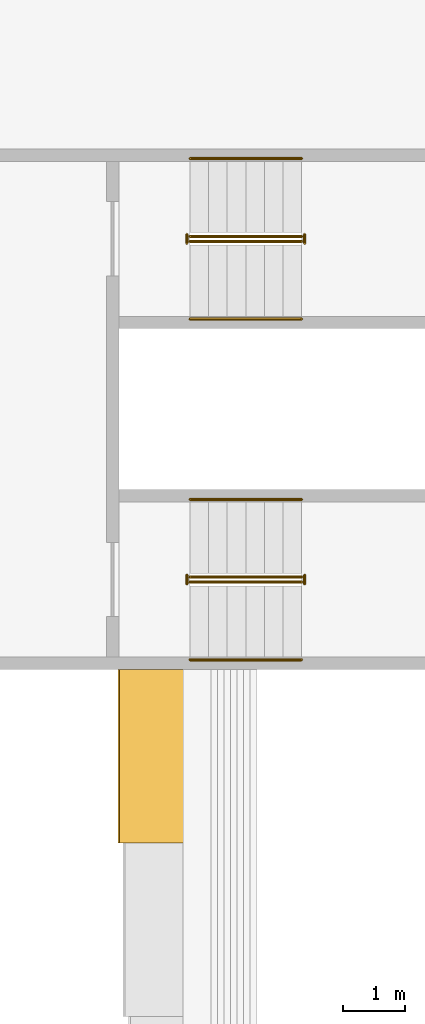
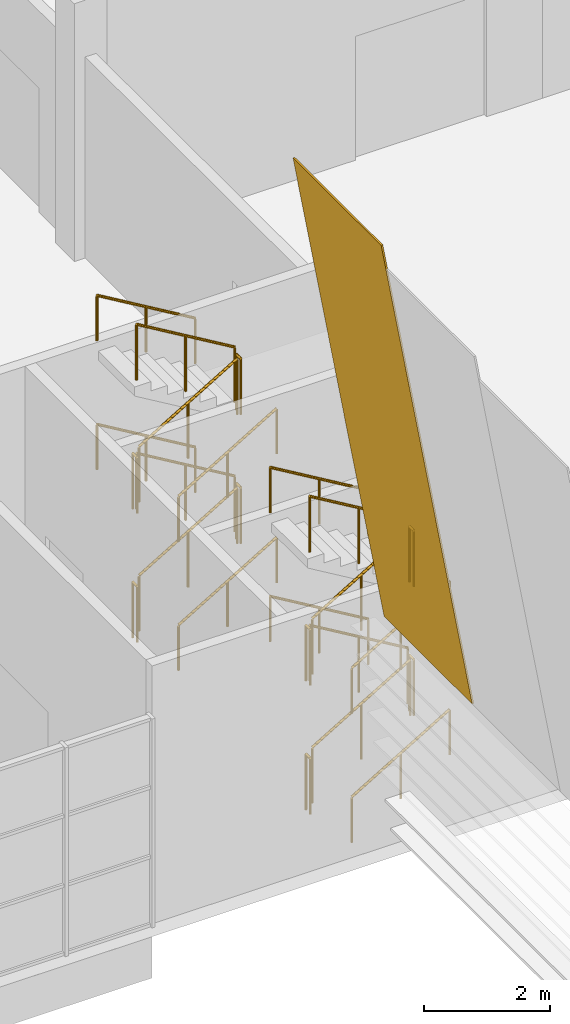
# One storey, part 54 of 59: 24 railings, 1 covering.
"""IFC4 building model written with IfcOpenShell, lengths in metres."""

from ifc_helpers import new_model, si_unit, direction, frame, origin, origin_2d, place, context, subcontext, project, spatial, polyline, circle, outline, extrude, material, layer, layer_set, type_object, element, save


model = new_model("IFC4")

# Units and contexts
model_context = context("Model", 3, precision=1e-05, world=origin(), true_north=direction((0.0, 1.0)))
body_context = subcontext(model_context, "Body", "Model", "MODEL_VIEW")
ifc_project = project(units=[si_unit("LENGTHUNIT", "METRE"), si_unit("AREAUNIT", "SQUARE_METRE"), si_unit("VOLUMEUNIT", "CUBIC_METRE"), si_unit("PLANEANGLEUNIT", "RADIAN"), si_unit("MASSUNIT", "GRAM", prefix="KILO")], contexts=[model_context])

# Site, building, storey
site_placement = place(None, origin())
site = spatial("IfcSite", under=ifc_project, at=site_placement, CompositionType="ELEMENT")
building_placement = place(site_placement, origin())
building = spatial("IfcBuilding", under=site, at=building_placement, Name="Almond Square Museum", CompositionType="ELEMENT")
storey_placement = place(building_placement, frame((0.0, 0.0, 25.0)))
storey = spatial("IfcBuildingStorey", under=building, at=storey_placement, Name="L04", CompositionType="ELEMENT", Elevation=25.0)

# Covering
ifc_material_1 = material(Name="Cedar timber sheathing panel", Category="wood")
ifc_layer = layer(ifc_material_1, 0.030029296875)
ifc_layer_set = layer_set([ifc_layer], Name="Cedar timber sheathing panel")
covering_type = type_object("IfcCoveringType", Name="Louvre rain-screen backing panel 30", PredefinedType="CLADDING", material=ifc_layer_set)
covering_placement = place(storey_placement, frame((102.672119140625, 64.39990234375, 4.469970703125), z_axis=(0.984806019505, 0.0, 0.17365800859), x_axis=(0.0, 1.0, 0.0)))
element("IfcCovering", 1, at=covering_placement, inside=storey, type_object=covering_type, Name="Louvre rain-screen backing panel W06.07", PredefinedType="CLADDING", context=body_context, shape_type="SweptSolid", body=[
    extrude(outline(polyline([(0.0, 0.0), (2.800048828125, 0.0), (2.800048828125, 9.62599348539088), (0.0, 9.62599348539088), (0.0, 0.0)])), frame((0.0, 0.0, -0.01513671875)), (0.0, 0.0, 1.0), 0.030029296875),
])

# Railings
ifc_material_2 = material(Name="Stainless steel and laminated glass", Category="steel")
railing_type_1 = type_object("IfcRailingType", Name="Stair guard 1100 steel and glass", PredefinedType="GUARDRAIL", material=ifc_material_2)
railing_1_placement = place(storey_placement, frame((102.14990234375, 68.610107421875, 0.178466796875)))
element("IfcRailing", 2, at=railing_1_placement, inside=storey, type_object=railing_type_1, Name="L04 ST-11 stair guard 1", PredefinedType="GUARDRAIL", context=body_context, shape_type="SweptSolid", body=[
    extrude(circle(Radius=0.02392578125, at=origin_2d()), frame((0.0, 0.0, 1.076171875), z_axis=(0.859277029364, 0.0, 0.511510495305), x_axis=(0.0, 1.0, 0.0)), (0.0, 0.0, 1.0), 2.0947265625),
    extrude(circle(Radius=0.02099609375, at=origin_2d()), origin(), (0.0, 0.0, 1.0), 1.052001953125),
    extrude(circle(Radius=0.02099609375, at=origin_2d()), frame((0.89990234375, 0.0, 0.53564453125)), (0.0, 0.0, 1.0), 1.052001953125),
    extrude(circle(Radius=0.02099609375, at=origin_2d()), frame((1.800048828125, 0.0, 1.071533203125)), (0.0, 0.0, 1.0), 1.052001953125),
])
railing_2_placement = place(storey_placement, frame((104.0, 68.580078125, 1.25)))
element("IfcRailing", 3, at=railing_2_placement, inside=storey, type_object=railing_type_1, Name="L04 ST-11 stair guard 2", PredefinedType="GUARDRAIL", context=body_context, shape_type="SweptSolid", body=[
    extrude(circle(Radius=0.02392578125, at=origin_2d()), frame((0.0, 0.0, 1.076171875), z_axis=(0.0, 1.0, 0.0), x_axis=(-1.0, 0.0, 0.0)), (0.0, 0.0, 1.0), 0.139892578125),
    extrude(circle(Radius=0.02099609375, at=origin_2d()), origin(), (0.0, 0.0, 1.0), 1.052001953125),
    extrude(circle(Radius=0.02099609375, at=origin_2d()), frame((0.0, 0.139892578125, 0.0)), (0.0, 0.0, 1.0), 1.052001953125),
])
railing_3_placement = place(storey_placement, frame((103.949951171875, 68.68994140625, 1.428466796875)))
element("IfcRailing", 4, at=railing_3_placement, inside=storey, type_object=railing_type_1, Name="L04 ST-11 stair guard 3", PredefinedType="GUARDRAIL", context=body_context, shape_type="SweptSolid", body=[
    extrude(circle(Radius=0.02392578125, at=origin_2d()), frame((0.0, 0.0, 1.076171875), z_axis=(-0.859277029364, 0.0, 0.511510495305), x_axis=(0.0, -1.0, 0.0)), (0.0, 0.0, 1.0), 2.0947265625),
    extrude(circle(Radius=0.02099609375, at=origin_2d()), origin(), (0.0, 0.0, 1.0), 1.052001953125),
    extrude(circle(Radius=0.02099609375, at=origin_2d()), frame((-0.89990234375, 0.0, 0.53564453125)), (0.0, 0.0, 1.0), 1.052001953125),
    extrude(circle(Radius=0.02099609375, at=origin_2d()), frame((-1.800048828125, 0.0, 1.071533203125)), (0.0, 0.0, 1.0), 1.052001953125),
])
railing_4_placement = place(storey_placement, frame((102.10009765625, 68.580078125, 2.5)))
element("IfcRailing", 5, at=railing_4_placement, inside=storey, type_object=railing_type_1, Name="L04 ST-11 stair guard 4", PredefinedType="GUARDRAIL", context=body_context, shape_type="SweptSolid", body=[
    extrude(circle(Radius=0.02392578125, at=origin_2d()), frame((0.0, 0.0, 1.076171875), z_axis=(0.0, 1.0, 0.0), x_axis=(-1.0, 0.0, 0.0)), (0.0, 0.0, 1.0), 0.139892578125),
    extrude(circle(Radius=0.02099609375, at=origin_2d()), origin(), (0.0, 0.0, 1.0), 1.052001953125),
    extrude(circle(Radius=0.02099609375, at=origin_2d()), frame((0.0, 0.139892578125, 0.0)), (0.0, 0.0, 1.0), 1.052001953125),
])
railing_5_placement = place(storey_placement, frame((102.14990234375, 68.610107421875, 2.678466796875)))
element("IfcRailing", 6, at=railing_5_placement, inside=storey, type_object=railing_type_1, Name="L04 ST-11 stair guard 5", PredefinedType="GUARDRAIL", context=body_context, shape_type="SweptSolid", body=[
    extrude(circle(Radius=0.02392578125, at=origin_2d()), frame((0.0, 0.0, 1.076171875), z_axis=(0.859277029364, 0.0, 0.511510495305), x_axis=(0.0, 1.0, 0.0)), (0.0, 0.0, 1.0), 2.0947265625),
    extrude(circle(Radius=0.02099609375, at=origin_2d()), origin(), (0.0, 0.0, 1.0), 1.052001953125),
    extrude(circle(Radius=0.02099609375, at=origin_2d()), frame((0.89990234375, 0.0, 0.53564453125)), (0.0, 0.0, 1.0), 1.052001953125),
    extrude(circle(Radius=0.02099609375, at=origin_2d()), frame((1.800048828125, 0.0, 1.071533203125)), (0.0, 0.0, 1.0), 1.052001953125),
])
railing_6_placement = place(storey_placement, frame((104.0, 68.580078125, 3.75)))
element("IfcRailing", 7, at=railing_6_placement, inside=storey, type_object=railing_type_1, Name="L04 ST-11 stair guard 6", PredefinedType="GUARDRAIL", context=body_context, shape_type="SweptSolid", body=[
    extrude(circle(Radius=0.02392578125, at=origin_2d()), frame((0.0, 0.0, 1.076171875), z_axis=(0.0, 1.0, 0.0), x_axis=(-1.0, 0.0, 0.0)), (0.0, 0.0, 1.0), 0.139892578125),
    extrude(circle(Radius=0.02099609375, at=origin_2d()), origin(), (0.0, 0.0, 1.0), 1.052001953125),
    extrude(circle(Radius=0.02099609375, at=origin_2d()), frame((0.0, 0.139892578125, 0.0)), (0.0, 0.0, 1.0), 1.052001953125),
])
railing_7_placement = place(storey_placement, frame((103.949951171875, 68.68994140625, 3.928466796875)))
element("IfcRailing", 8, at=railing_7_placement, inside=storey, type_object=railing_type_1, Name="L04 ST-11 stair guard 7", PredefinedType="GUARDRAIL", context=body_context, shape_type="SweptSolid", body=[
    extrude(circle(Radius=0.02392578125, at=origin_2d()), frame((0.0, 0.0, 1.076171875), z_axis=(-0.859277029364, 0.0, 0.511510495305), x_axis=(0.0, -1.0, 0.0)), (0.0, 0.0, 1.0), 2.0947265625),
    extrude(circle(Radius=0.02099609375, at=origin_2d()), origin(), (0.0, 0.0, 1.0), 1.052001953125),
    extrude(circle(Radius=0.02099609375, at=origin_2d()), frame((-0.89990234375, 0.0, 0.53564453125)), (0.0, 0.0, 1.0), 1.052001953125),
    extrude(circle(Radius=0.02099609375, at=origin_2d()), frame((-1.800048828125, 0.0, 1.071533203125)), (0.0, 0.0, 1.0), 1.052001953125),
])
railing_8_placement = place(storey_placement, frame((102.10009765625, 68.580078125, 0.0)))
element("IfcRailing", 9, at=railing_8_placement, inside=storey, type_object=railing_type_1, Name="L04 ST-11 stair guard 8", PredefinedType="GUARDRAIL", context=body_context, shape_type="SweptSolid", body=[
    extrude(circle(Radius=0.02392578125, at=origin_2d()), frame((0.0, 0.0, 1.076171875), z_axis=(0.0, 1.0, 0.0), x_axis=(-1.0, 0.0, 0.0)), (0.0, 0.0, 1.0), 0.139892578125),
    extrude(circle(Radius=0.02099609375, at=origin_2d()), origin(), (0.0, 0.0, 1.0), 1.052001953125),
    extrude(circle(Radius=0.02099609375, at=origin_2d()), frame((0.0, 0.139892578125, 0.0)), (0.0, 0.0, 1.0), 1.052001953125),
])
railing_9_placement = place(storey_placement, frame((102.14990234375, 74.110107421875, 0.178466796875)))
element("IfcRailing", 10, at=railing_9_placement, inside=storey, type_object=railing_type_1, Name="L04 ST-12 stair guard 1", PredefinedType="GUARDRAIL", context=body_context, shape_type="SweptSolid", body=[
    extrude(circle(Radius=0.02392578125, at=origin_2d()), frame((0.0, 0.0, 1.076171875), z_axis=(0.859277029364, 0.0, 0.511510495305), x_axis=(0.0, 1.0, 0.0)), (0.0, 0.0, 1.0), 2.0947265625),
    extrude(circle(Radius=0.02099609375, at=origin_2d()), origin(), (0.0, 0.0, 1.0), 1.052001953125),
    extrude(circle(Radius=0.02099609375, at=origin_2d()), frame((0.89990234375, 0.0, 0.53564453125)), (0.0, 0.0, 1.0), 1.052001953125),
    extrude(circle(Radius=0.02099609375, at=origin_2d()), frame((1.800048828125, 0.0, 1.071533203125)), (0.0, 0.0, 1.0), 1.052001953125),
])
railing_10_placement = place(storey_placement, frame((104.0, 74.080078125, 1.25)))
element("IfcRailing", 11, at=railing_10_placement, inside=storey, type_object=railing_type_1, Name="L04 ST-12 stair guard 2", PredefinedType="GUARDRAIL", context=body_context, shape_type="SweptSolid", body=[
    extrude(circle(Radius=0.02392578125, at=origin_2d()), frame((0.0, 0.0, 1.076171875), z_axis=(0.0, 1.0, 0.0), x_axis=(-1.0, 0.0, 0.0)), (0.0, 0.0, 1.0), 0.139892578125),
    extrude(circle(Radius=0.02099609375, at=origin_2d()), origin(), (0.0, 0.0, 1.0), 1.052001953125),
    extrude(circle(Radius=0.02099609375, at=origin_2d()), frame((0.0, 0.139892578125, 0.0)), (0.0, 0.0, 1.0), 1.052001953125),
])
railing_11_placement = place(storey_placement, frame((103.949951171875, 74.18994140625, 1.428466796875)))
element("IfcRailing", 12, at=railing_11_placement, inside=storey, type_object=railing_type_1, Name="L04 ST-12 stair guard 3", PredefinedType="GUARDRAIL", context=body_context, shape_type="SweptSolid", body=[
    extrude(circle(Radius=0.02392578125, at=origin_2d()), frame((0.0, 0.0, 1.076171875), z_axis=(-0.859277029364, 0.0, 0.511510495305), x_axis=(0.0, -1.0, 0.0)), (0.0, 0.0, 1.0), 2.0947265625),
    extrude(circle(Radius=0.02099609375, at=origin_2d()), origin(), (0.0, 0.0, 1.0), 1.052001953125),
    extrude(circle(Radius=0.02099609375, at=origin_2d()), frame((-0.89990234375, 0.0, 0.53564453125)), (0.0, 0.0, 1.0), 1.052001953125),
    extrude(circle(Radius=0.02099609375, at=origin_2d()), frame((-1.800048828125, 0.0, 1.071533203125)), (0.0, 0.0, 1.0), 1.052001953125),
])
railing_12_placement = place(storey_placement, frame((102.10009765625, 74.080078125, 2.5)))
element("IfcRailing", 13, at=railing_12_placement, inside=storey, type_object=railing_type_1, Name="L04 ST-12 stair guard 4", PredefinedType="GUARDRAIL", context=body_context, shape_type="SweptSolid", body=[
    extrude(circle(Radius=0.02392578125, at=origin_2d()), frame((0.0, 0.0, 1.076171875), z_axis=(0.0, 1.0, 0.0), x_axis=(-1.0, 0.0, 0.0)), (0.0, 0.0, 1.0), 0.139892578125),
    extrude(circle(Radius=0.02099609375, at=origin_2d()), origin(), (0.0, 0.0, 1.0), 1.052001953125),
    extrude(circle(Radius=0.02099609375, at=origin_2d()), frame((0.0, 0.139892578125, 0.0)), (0.0, 0.0, 1.0), 1.052001953125),
])
railing_13_placement = place(storey_placement, frame((102.14990234375, 74.110107421875, 2.678466796875)))
element("IfcRailing", 14, at=railing_13_placement, inside=storey, type_object=railing_type_1, Name="L04 ST-12 stair guard 5", PredefinedType="GUARDRAIL", context=body_context, shape_type="SweptSolid", body=[
    extrude(circle(Radius=0.02392578125, at=origin_2d()), frame((0.0, 0.0, 1.076171875), z_axis=(0.859277029364, 0.0, 0.511510495305), x_axis=(0.0, 1.0, 0.0)), (0.0, 0.0, 1.0), 2.0947265625),
    extrude(circle(Radius=0.02099609375, at=origin_2d()), origin(), (0.0, 0.0, 1.0), 1.052001953125),
    extrude(circle(Radius=0.02099609375, at=origin_2d()), frame((0.89990234375, 0.0, 0.53564453125)), (0.0, 0.0, 1.0), 1.052001953125),
    extrude(circle(Radius=0.02099609375, at=origin_2d()), frame((1.800048828125, 0.0, 1.071533203125)), (0.0, 0.0, 1.0), 1.052001953125),
])
railing_14_placement = place(storey_placement, frame((104.0, 74.080078125, 3.75)))
element("IfcRailing", 15, at=railing_14_placement, inside=storey, type_object=railing_type_1, Name="L04 ST-12 stair guard 6", PredefinedType="GUARDRAIL", context=body_context, shape_type="SweptSolid", body=[
    extrude(circle(Radius=0.02392578125, at=origin_2d()), frame((0.0, 0.0, 1.076171875), z_axis=(0.0, 1.0, 0.0), x_axis=(-1.0, 0.0, 0.0)), (0.0, 0.0, 1.0), 0.139892578125),
    extrude(circle(Radius=0.02099609375, at=origin_2d()), origin(), (0.0, 0.0, 1.0), 1.052001953125),
    extrude(circle(Radius=0.02099609375, at=origin_2d()), frame((0.0, 0.139892578125, 0.0)), (0.0, 0.0, 1.0), 1.052001953125),
])
railing_15_placement = place(storey_placement, frame((103.949951171875, 74.18994140625, 3.928466796875)))
element("IfcRailing", 16, at=railing_15_placement, inside=storey, type_object=railing_type_1, Name="L04 ST-12 stair guard 7", PredefinedType="GUARDRAIL", context=body_context, shape_type="SweptSolid", body=[
    extrude(circle(Radius=0.02392578125, at=origin_2d()), frame((0.0, 0.0, 1.076171875), z_axis=(-0.859277029364, 0.0, 0.511510495305), x_axis=(0.0, -1.0, 0.0)), (0.0, 0.0, 1.0), 2.0947265625),
    extrude(circle(Radius=0.02099609375, at=origin_2d()), origin(), (0.0, 0.0, 1.0), 1.052001953125),
    extrude(circle(Radius=0.02099609375, at=origin_2d()), frame((-0.89990234375, 0.0, 0.53564453125)), (0.0, 0.0, 1.0), 1.052001953125),
    extrude(circle(Radius=0.02099609375, at=origin_2d()), frame((-1.800048828125, 0.0, 1.071533203125)), (0.0, 0.0, 1.0), 1.052001953125),
])
railing_16_placement = place(storey_placement, frame((102.10009765625, 74.080078125, 0.0)))
element("IfcRailing", 17, at=railing_16_placement, inside=storey, type_object=railing_type_1, Name="L04 ST-12 stair guard 8", PredefinedType="GUARDRAIL", context=body_context, shape_type="SweptSolid", body=[
    extrude(circle(Radius=0.02392578125, at=origin_2d()), frame((0.0, 0.0, 1.076171875), z_axis=(0.0, 1.0, 0.0), x_axis=(-1.0, 0.0, 0.0)), (0.0, 0.0, 1.0), 0.139892578125),
    extrude(circle(Radius=0.02099609375, at=origin_2d()), origin(), (0.0, 0.0, 1.0), 1.052001953125),
    extrude(circle(Radius=0.02099609375, at=origin_2d()), frame((0.0, 0.139892578125, 0.0)), (0.0, 0.0, 1.0), 1.052001953125),
])
ifc_material_3 = material(Name="Stainless steel", Category="steel")
railing_type_2 = type_object("IfcRailingType", Name="Stair handrail 900 steel", PredefinedType="HANDRAIL", material=ifc_material_3)
railing_17_placement = place(storey_placement, frame((102.14990234375, 67.35498046875, 0.178466796875)))
element("IfcRailing", 18, at=railing_17_placement, inside=storey, type_object=railing_type_2, Name="L04 ST-11 stair handrail 1", PredefinedType="HANDRAIL", context=body_context, shape_type="SweptSolid", body=[
    extrude(circle(Radius=0.02392578125, at=origin_2d()), frame((0.0, 0.0, 0.8759765625), z_axis=(0.859277029364, 0.0, 0.511510495305), x_axis=(0.0, 1.0, 0.0)), (0.0, 0.0, 1.0), 2.0947265625),
    extrude(circle(Radius=0.02099609375, at=origin_2d()), origin(), (0.0, 0.0, 1.0), 0.851806640625),
    extrude(circle(Radius=0.02099609375, at=origin_2d()), frame((0.89990234375, 0.0, 0.53564453125)), (0.0, 0.0, 1.0), 0.851806640625),
    extrude(circle(Radius=0.02099609375, at=origin_2d()), frame((1.800048828125, 0.0, 1.071533203125)), (0.0, 0.0, 1.0), 0.851806640625),
])
railing_18_placement = place(storey_placement, frame((103.949951171875, 69.945068359375, 1.428466796875)))
element("IfcRailing", 19, at=railing_18_placement, inside=storey, type_object=railing_type_2, Name="L04 ST-11 stair handrail 2", PredefinedType="HANDRAIL", context=body_context, shape_type="SweptSolid", body=[
    extrude(circle(Radius=0.02392578125, at=origin_2d()), frame((0.0, 0.0, 0.8759765625), z_axis=(-0.859277029364, 0.0, 0.511510495305), x_axis=(0.0, -1.0, 0.0)), (0.0, 0.0, 1.0), 2.0947265625),
    extrude(circle(Radius=0.02099609375, at=origin_2d()), origin(), (0.0, 0.0, 1.0), 0.851806640625),
    extrude(circle(Radius=0.02099609375, at=origin_2d()), frame((-0.89990234375, 0.0, 0.53564453125)), (0.0, 0.0, 1.0), 0.851806640625),
    extrude(circle(Radius=0.02099609375, at=origin_2d()), frame((-1.800048828125, 0.0, 1.071533203125)), (0.0, 0.0, 1.0), 0.851806640625),
])
railing_19_placement = place(storey_placement, frame((102.14990234375, 67.35498046875, 2.678466796875)))
element("IfcRailing", 20, at=railing_19_placement, inside=storey, type_object=railing_type_2, Name="L04 ST-11 stair handrail 3", PredefinedType="HANDRAIL", context=body_context, shape_type="SweptSolid", body=[
    extrude(circle(Radius=0.02392578125, at=origin_2d()), frame((0.0, 0.0, 0.8759765625), z_axis=(0.859277029364, 0.0, 0.511510495305), x_axis=(0.0, 1.0, 0.0)), (0.0, 0.0, 1.0), 2.0947265625),
    extrude(circle(Radius=0.02099609375, at=origin_2d()), origin(), (0.0, 0.0, 1.0), 0.851806640625),
    extrude(circle(Radius=0.02099609375, at=origin_2d()), frame((0.89990234375, 0.0, 0.53564453125)), (0.0, 0.0, 1.0), 0.851806640625),
    extrude(circle(Radius=0.02099609375, at=origin_2d()), frame((1.800048828125, 0.0, 1.071533203125)), (0.0, 0.0, 1.0), 0.851806640625),
])
railing_20_placement = place(storey_placement, frame((103.949951171875, 69.945068359375, 3.928466796875)))
element("IfcRailing", 21, at=railing_20_placement, inside=storey, type_object=railing_type_2, Name="L04 ST-11 stair handrail 4", PredefinedType="HANDRAIL", context=body_context, shape_type="SweptSolid", body=[
    extrude(circle(Radius=0.02392578125, at=origin_2d()), frame((0.0, 0.0, 0.8759765625), z_axis=(-0.859277029364, 0.0, 0.511510495305), x_axis=(0.0, -1.0, 0.0)), (0.0, 0.0, 1.0), 2.0947265625),
    extrude(circle(Radius=0.02099609375, at=origin_2d()), origin(), (0.0, 0.0, 1.0), 0.851806640625),
    extrude(circle(Radius=0.02099609375, at=origin_2d()), frame((-0.89990234375, 0.0, 0.53564453125)), (0.0, 0.0, 1.0), 0.851806640625),
    extrude(circle(Radius=0.02099609375, at=origin_2d()), frame((-1.800048828125, 0.0, 1.071533203125)), (0.0, 0.0, 1.0), 0.851806640625),
])
railing_21_placement = place(storey_placement, frame((102.14990234375, 72.85498046875, 0.178466796875)))
element("IfcRailing", 22, at=railing_21_placement, inside=storey, type_object=railing_type_2, Name="L04 ST-12 stair handrail 1", PredefinedType="HANDRAIL", context=body_context, shape_type="SweptSolid", body=[
    extrude(circle(Radius=0.02392578125, at=origin_2d()), frame((0.0, 0.0, 0.8759765625), z_axis=(0.859277029364, 0.0, 0.511510495305), x_axis=(0.0, 1.0, 0.0)), (0.0, 0.0, 1.0), 2.0947265625),
    extrude(circle(Radius=0.02099609375, at=origin_2d()), origin(), (0.0, 0.0, 1.0), 0.851806640625),
    extrude(circle(Radius=0.02099609375, at=origin_2d()), frame((0.89990234375, 0.0, 0.53564453125)), (0.0, 0.0, 1.0), 0.851806640625),
    extrude(circle(Radius=0.02099609375, at=origin_2d()), frame((1.800048828125, 0.0, 1.071533203125)), (0.0, 0.0, 1.0), 0.851806640625),
])
railing_22_placement = place(storey_placement, frame((103.949951171875, 75.445068359375, 1.428466796875)))
element("IfcRailing", 23, at=railing_22_placement, inside=storey, type_object=railing_type_2, Name="L04 ST-12 stair handrail 2", PredefinedType="HANDRAIL", context=body_context, shape_type="SweptSolid", body=[
    extrude(circle(Radius=0.02392578125, at=origin_2d()), frame((0.0, 0.0, 0.8759765625), z_axis=(-0.859277029364, 0.0, 0.511510495305), x_axis=(0.0, -1.0, 0.0)), (0.0, 0.0, 1.0), 2.0947265625),
    extrude(circle(Radius=0.02099609375, at=origin_2d()), origin(), (0.0, 0.0, 1.0), 0.851806640625),
    extrude(circle(Radius=0.02099609375, at=origin_2d()), frame((-0.89990234375, 0.0, 0.53564453125)), (0.0, 0.0, 1.0), 0.851806640625),
    extrude(circle(Radius=0.02099609375, at=origin_2d()), frame((-1.800048828125, 0.0, 1.071533203125)), (0.0, 0.0, 1.0), 0.851806640625),
])
railing_23_placement = place(storey_placement, frame((102.14990234375, 72.85498046875, 2.678466796875)))
element("IfcRailing", 24, at=railing_23_placement, inside=storey, type_object=railing_type_2, Name="L04 ST-12 stair handrail 3", PredefinedType="HANDRAIL", context=body_context, shape_type="SweptSolid", body=[
    extrude(circle(Radius=0.02392578125, at=origin_2d()), frame((0.0, 0.0, 0.8759765625), z_axis=(0.859277029364, 0.0, 0.511510495305), x_axis=(0.0, 1.0, 0.0)), (0.0, 0.0, 1.0), 2.0947265625),
    extrude(circle(Radius=0.02099609375, at=origin_2d()), origin(), (0.0, 0.0, 1.0), 0.851806640625),
    extrude(circle(Radius=0.02099609375, at=origin_2d()), frame((0.89990234375, 0.0, 0.53564453125)), (0.0, 0.0, 1.0), 0.851806640625),
    extrude(circle(Radius=0.02099609375, at=origin_2d()), frame((1.800048828125, 0.0, 1.071533203125)), (0.0, 0.0, 1.0), 0.851806640625),
])
railing_24_placement = place(storey_placement, frame((103.949951171875, 75.445068359375, 3.928466796875)))
element("IfcRailing", 25, at=railing_24_placement, inside=storey, type_object=railing_type_2, Name="L04 ST-12 stair handrail 4", PredefinedType="HANDRAIL", context=body_context, shape_type="SweptSolid", body=[
    extrude(circle(Radius=0.02392578125, at=origin_2d()), frame((0.0, 0.0, 0.8759765625), z_axis=(-0.859277029364, 0.0, 0.511510495305), x_axis=(0.0, -1.0, 0.0)), (0.0, 0.0, 1.0), 2.0947265625),
    extrude(circle(Radius=0.02099609375, at=origin_2d()), origin(), (0.0, 0.0, 1.0), 0.851806640625),
    extrude(circle(Radius=0.02099609375, at=origin_2d()), frame((-0.89990234375, 0.0, 0.53564453125)), (0.0, 0.0, 1.0), 0.851806640625),
    extrude(circle(Radius=0.02099609375, at=origin_2d()), frame((-1.800048828125, 0.0, 1.071533203125)), (0.0, 0.0, 1.0), 0.851806640625),
])

save(model, "model.ifc")
